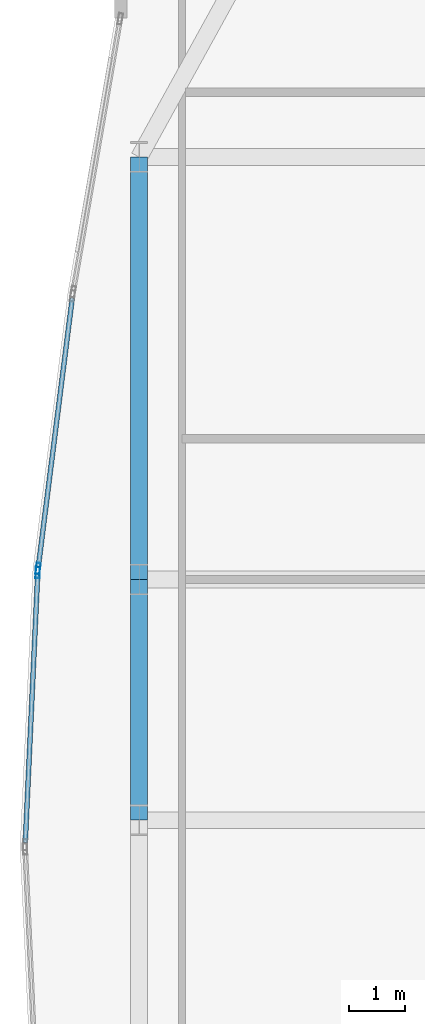
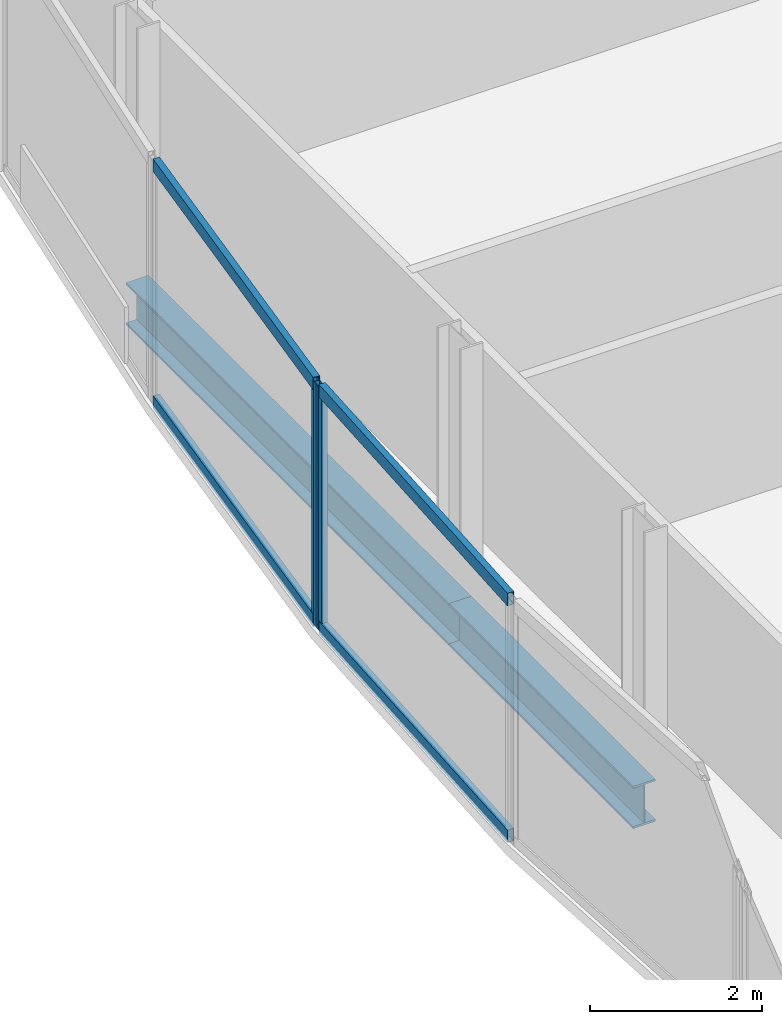
# One storey, part 11 of 29: 6 members, 2 beams, 2 elements without a shape of their own.
"""IFC4 building model written with IfcOpenShell, lengths in metres."""

from ifc_helpers import new_model, si_unit, direction, frame, origin, origin_2d, place, context, subcontext, project, spatial, hollow_rectangle, i_section, extrude, material, material_profile, profile_set, type_object, element, aggregate, save


model = new_model("IFC4")

# Units and contexts
model_context = context("Model", 3, precision=1e-05, world=origin(), true_north=direction((0.0, 1.0)))
body_context = subcontext(model_context, "Body", "Model", "MODEL_VIEW")
ifc_project = project(units=[si_unit("LENGTHUNIT", "METRE"), si_unit("AREAUNIT", "SQUARE_METRE"), si_unit("VOLUMEUNIT", "CUBIC_METRE"), si_unit("PLANEANGLEUNIT", "RADIAN"), si_unit("MASSUNIT", "GRAM", prefix="KILO")], contexts=[model_context])

# Site, building, storey
site_placement = place(None, origin())
site = spatial("IfcSite", under=ifc_project, at=site_placement, CompositionType="ELEMENT")
building_placement = place(site_placement, origin())
building = spatial("IfcBuilding", under=site, at=building_placement, Name="Khoronbel Lancet Exchange", CompositionType="ELEMENT")
storey_placement = place(building_placement, frame((0.0, 0.0, 150.60009765625)))
storey = spatial("IfcBuildingStorey", under=building, at=storey_placement, Name="L37", CompositionType="ELEMENT", Elevation=150.60009765625)

# Beams
ifc_material_1 = material(Name="Steel S355", Category="steel")
ifc_material_profile_1 = material_profile(ifc_material_1, i_section(OverallWidth=0.300048828125, OverallDepth=0.60009765625, WebThickness=0.015380859375, FlangeThickness=0.030029296875, at=origin_2d()), Name="HEB 600")
ifc_profile_set_1 = profile_set([ifc_material_profile_1], Name="Steel S355")
beam_type = type_object("IfcBeamType", Name="BM-BSP2", PredefinedType="SPANDREL", material=ifc_profile_set_1)
beam_1_placement = place(storey_placement, frame((5.27001953125, 43.199951171875, -0.460205078125), z_axis=(0.0, -1.0, 0.0), x_axis=(1.0, 0.0, 0.0)))
element("IfcBeam", 1, at=beam_1_placement, inside=storey, type_object=beam_type, Name="Level L37 perimeter spandrel beam SP17", PredefinedType="SPANDREL", context=body_context, shape_type="SweptSolid", body=[
    extrude(i_section(OverallWidth=0.300048828125, OverallDepth=0.60009765625, WebThickness=0.015380859375, FlangeThickness=0.030029296875, at=origin_2d()), origin(), (0.0, 0.0, 1.0), 7.5),
])
beam_2_placement = place(storey_placement, frame((5.27001953125, 35.699951171875, -0.460205078125), z_axis=(0.0, -1.0, 0.0), x_axis=(1.0, 0.0, 0.0)))
element("IfcBeam", 2, at=beam_2_placement, inside=storey, type_object=beam_type, Name="Level L37 perimeter spandrel beam SP18", PredefinedType="SPANDREL", context=body_context, shape_type="SweptSolid", body=[
    extrude(i_section(OverallWidth=0.300048828125, OverallDepth=0.60009765625, WebThickness=0.015380859375, FlangeThickness=0.030029296875, at=origin_2d()), origin(), (0.0, 0.0, 1.0), 4.27490234375),
])

# Curtain wall, member
ifc_material_2 = material(Name="Low-E Solar Control Insulating Glass", Category="glass")
curtain_wall_type = type_object("IfcCurtainWallType", Name="CW-4", PredefinedType="NOTDEFINED", material=ifc_material_2)
curtain_wall_1_placement = place(storey_placement, origin())
curtain_wall_1 = element("IfcCurtainWall", 3, at=curtain_wall_1_placement, inside=storey, type_object=curtain_wall_type, Name="Unitised curtain wall CW-L37-E07", PredefinedType="NOTDEFINED")
ifc_material_3 = material(Name="Bronze-Anodised Aluminium 6063-T6", Category="aluminium")
ifc_material_profile_2 = material_profile(ifc_material_3, hollow_rectangle(XDim=0.074951171875, YDim=0.199951171875, WallThickness=0.0048828125, at=origin_2d()), Name="ALU MULLION 75x200")
ifc_profile_set_2 = profile_set([ifc_material_profile_2], Name="Bronze-Anodised Aluminium 6063-T6")
member_type_1 = type_object("IfcMemberType", Name="MEM-CWM2", PredefinedType="MULLION", material=ifc_profile_set_2)
member_1_placement = place(storey_placement, frame((3.46875, 35.821533203125, 0.0), z_axis=(0.0, 0.0, 1.0), x_axis=(-0.998933507657, 0.046171931737, 0.0)))
member_1 = element("IfcMember", 4, at=member_1_placement, type_object=member_type_1, Name="CW4 mullion 2", PredefinedType="MULLION", context=body_context, shape_type="SweptSolid", body=[
    extrude(hollow_rectangle(XDim=0.074951171875, YDim=0.199951171875, WallThickness=0.0048828125, at=origin_2d()), origin(), (0.0, 0.0, 1.0), 3.43994140625),
])

curtain_wall_2_placement = place(storey_placement, origin())
curtain_wall_2 = element("IfcCurtainWall", 5, at=curtain_wall_2_placement, inside=storey, type_object=curtain_wall_type, Name="Unitised curtain wall CW-L37-E08", PredefinedType="NOTDEFINED")
member_2_placement = place(storey_placement, frame((3.47509765625, 35.896240234375, 0.0), z_axis=(0.0, 0.0, 1.0), x_axis=(-0.992117302978, 0.125312637554, 0.0)))
member_2 = element("IfcMember", 6, at=member_2_placement, type_object=member_type_1, Name="CW4 mullion 1", PredefinedType="MULLION", context=body_context, shape_type="SweptSolid", body=[
    extrude(hollow_rectangle(XDim=0.074951171875, YDim=0.199951171875, WallThickness=0.0048828125, at=origin_2d()), origin(), (0.0, 0.0, 1.0), 3.43994140625),
])

# Member
ifc_material_profile_3 = material_profile(ifc_material_3, hollow_rectangle(XDim=0.0849609375, YDim=0.179931640625, WallThickness=0.0048828125, at=origin_2d()), Name="ALU TRANSOM 85x180")
ifc_profile_set_3 = profile_set([ifc_material_profile_3], Name="Bronze-Anodised Aluminium 6063-T6")
member_type_2 = type_object("IfcMemberType", Name="MEM-CWT1", PredefinedType="USERDEFINED", material=ifc_profile_set_3)
member_3_placement = place(storey_placement, frame((3.2470703125, 31.02490234375, 0.04248046875), z_axis=(0.046170060958, 0.998933594125, 0.0), x_axis=(-0.998933594125, 0.046170060958, 0.0)))
member_3 = element("IfcMember", 7, at=member_3_placement, type_object=member_type_2, Name="CW4 transom 1.1", ObjectType="TRANSOM", PredefinedType="USERDEFINED", context=body_context, shape_type="SweptSolid", body=[
    extrude(hollow_rectangle(XDim=0.0849609375, YDim=0.179931640625, WallThickness=0.0048828125, at=origin_2d()), origin(), (0.0, 0.0, 1.0), 4.764404296875),
])

member_4_placement = place(storey_placement, frame((3.2470703125, 31.02490234375, 3.3974609375), z_axis=(0.046170060958, 0.998933594125, 0.0), x_axis=(-0.998933594125, 0.046170060958, 0.0)))
member_4 = element("IfcMember", 8, at=member_4_placement, type_object=member_type_2, Name="CW4 transom 1.2", ObjectType="TRANSOM", PredefinedType="USERDEFINED", context=body_context, shape_type="SweptSolid", body=[
    extrude(hollow_rectangle(XDim=0.0849609375, YDim=0.179931640625, WallThickness=0.0048828125, at=origin_2d()), origin(), (0.0, 0.0, 1.0), 4.764404296875),
])

aggregate(curtain_wall_1, [member_1, member_3, member_4])

member_5_placement = place(storey_placement, frame((3.479736328125, 35.933349609375, 0.04248046875), z_axis=(0.125324179344, 0.992115845086, 0.0), x_axis=(-0.992115845086, 0.125324179344, 0.0)))
member_5 = element("IfcMember", 9, at=member_5_placement, type_object=member_type_2, Name="CW4 transom 1.1", ObjectType="TRANSOM", PredefinedType="USERDEFINED", context=body_context, shape_type="SweptSolid", body=[
    extrude(hollow_rectangle(XDim=0.0849609375, YDim=0.179931640625, WallThickness=0.0048828125, at=origin_2d()), origin(), (0.0, 0.0, 1.0), 4.800048828125),
])

member_6_placement = place(storey_placement, frame((3.479736328125, 35.933349609375, 3.3974609375), z_axis=(0.125324179344, 0.992115845086, 0.0), x_axis=(-0.992115845086, 0.125324179344, 0.0)))
member_6 = element("IfcMember", 10, at=member_6_placement, type_object=member_type_2, Name="CW4 transom 1.2", ObjectType="TRANSOM", PredefinedType="USERDEFINED", context=body_context, shape_type="SweptSolid", body=[
    extrude(hollow_rectangle(XDim=0.0849609375, YDim=0.179931640625, WallThickness=0.0048828125, at=origin_2d()), origin(), (0.0, 0.0, 1.0), 4.800048828125),
])

aggregate(curtain_wall_2, [member_2, member_5, member_6])

save(model, "model.ifc")
